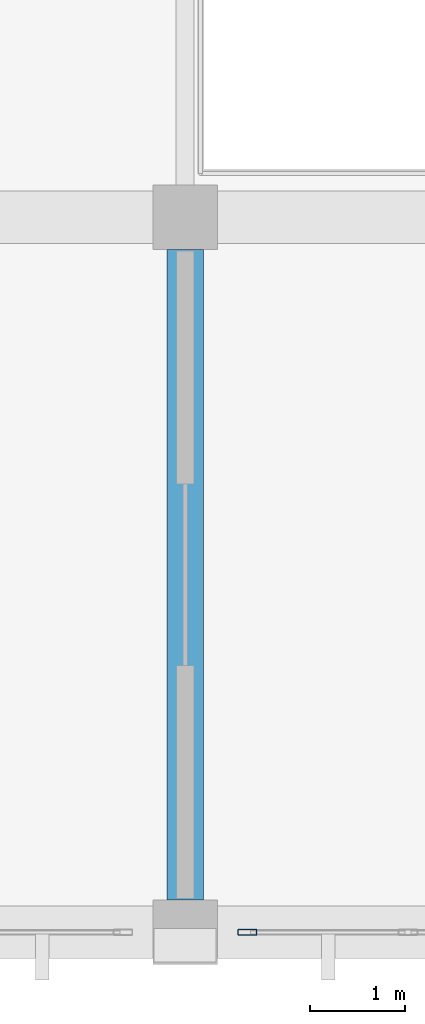
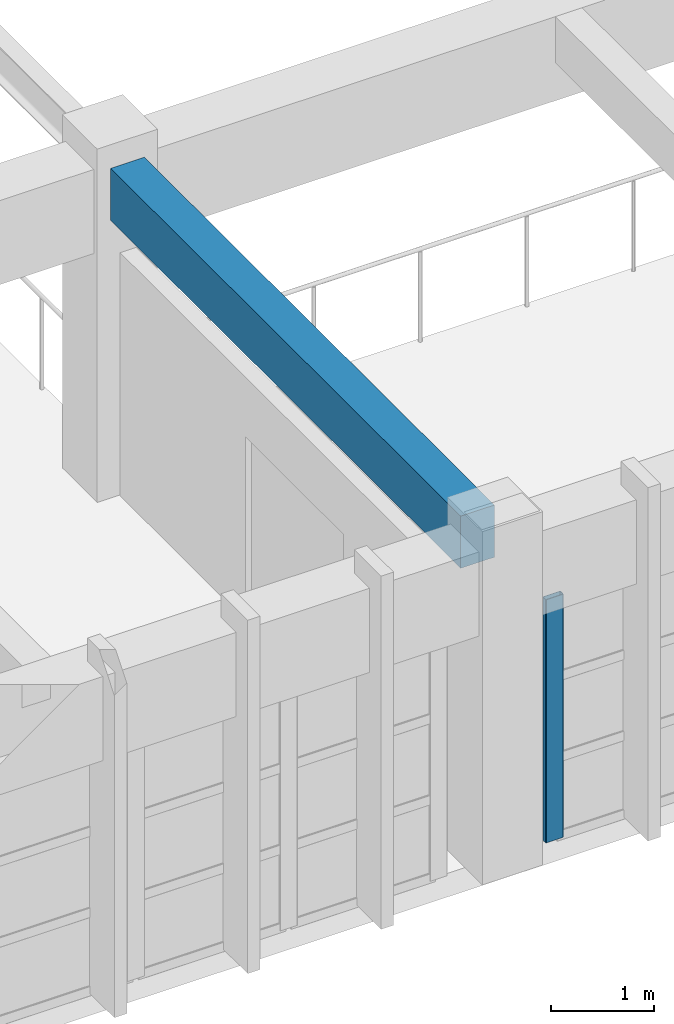
# One storey, part 4 of 132: 1 beam, 1 member, 1 element without a shape of its own.
"""IFC4 building model written with IfcOpenShell, lengths in metres."""

from ifc_helpers import new_model, si_unit, direction, frame, origin, origin_2d, place, context, subcontext, project, spatial, rectangle, hollow_rectangle, extrude, material, material_profile, profile_set, type_object, element, aggregate, save


model = new_model("IFC4")

# Units and contexts
model_context = context("Model", 3, precision=1e-05, world=origin(), true_north=direction((0.0, 1.0)))
body_context = subcontext(model_context, "Body", "Model", "MODEL_VIEW")
ifc_project = project(units=[si_unit("LENGTHUNIT", "METRE"), si_unit("AREAUNIT", "SQUARE_METRE"), si_unit("VOLUMEUNIT", "CUBIC_METRE"), si_unit("PLANEANGLEUNIT", "RADIAN"), si_unit("MASSUNIT", "GRAM", prefix="KILO")], contexts=[model_context])

# Site, building, storey
site_placement = place(None, origin())
site = spatial("IfcSite", under=ifc_project, at=site_placement, CompositionType="ELEMENT")
building_placement = place(site_placement, origin())
building = spatial("IfcBuilding", under=site, at=building_placement, Name="Qasida Concert Hall", CompositionType="ELEMENT")
storey_placement = place(building_placement, frame((0.0, 0.0, 4.800048828125)))
storey = spatial("IfcBuildingStorey", under=building, at=storey_placement, Name="L01", CompositionType="ELEMENT", Elevation=4.800048828125)

# Beam
ifc_material_1 = material(Name="Concrete C40/50", Category="concrete")
ifc_material_profile_1 = material_profile(ifc_material_1, rectangle(XDim=0.3798828125, YDim=0.6201171875, at=origin_2d()), Name="RC 380x620")
ifc_profile_set_1 = profile_set([ifc_material_profile_1], Name="Concrete C40/50")
beam_type = type_object("IfcBeamType", Name="BM-B10", PredefinedType="BEAM", material=ifc_profile_set_1)
beam_placement = place(storey_placement, frame((15.0, 0.340087890625, 3.60986328125), z_axis=(0.0, 1.0, 0.0), x_axis=(-1.0, 0.0, 0.0)))
element("IfcBeam", 1, at=beam_placement, inside=storey, type_object=beam_type, Name="L01 girder 0927", PredefinedType="BEAM", context=body_context, shape_type="SweptSolid", body=[
    extrude(rectangle(XDim=0.3798828125, YDim=0.6201171875, at=origin_2d()), origin(), (0.0, 0.0, 1.0), 6.81982421875),
])

# Curtain wall, member
ifc_material_2 = material(Name="Architectural bronze-anodized aluminium and low-E glass", Category="aluminium")
curtain_wall_type = type_object("IfcCurtainWallType", Name="CW-07", PredefinedType="NOTDEFINED", material=ifc_material_2)
curtain_wall_placement = place(storey_placement, origin())
curtain_wall = element("IfcCurtainWall", 2, at=curtain_wall_placement, inside=storey, type_object=curtain_wall_type, Name="L01 curtain wall CW-07 0085", PredefinedType="NOTDEFINED")
ifc_material_3 = material(Name="Architectural bronze-anodized aluminium EN AW-6063", Category="aluminium")
ifc_material_profile_2 = material_profile(ifc_material_3, hollow_rectangle(XDim=0.06494140625, YDim=0.199951171875, WallThickness=0.0048828125, InnerFilletRadius=0.0048828125, OuterFilletRadius=0.010009765625, at=origin_2d()), Name="CWM 200x65x5")
ifc_profile_set_2 = profile_set([ifc_material_profile_2], Name="Architectural bronze-anodized aluminium EN AW-6063")
member_type = type_object("IfcMemberType", Name="MB-CWM-2", PredefinedType="MULLION", material=ifc_profile_set_2)
member_placement = place(storey_placement, frame((15.652587890625, 0.0, 0.0), z_axis=(0.0, 0.0, 1.0), x_axis=(0.0, 1.0, 0.0)))
member = element("IfcMember", 3, at=member_placement, type_object=member_type, Name="CW-07 mullion 1", PredefinedType="MULLION", context=body_context, shape_type="SweptSolid", body=[
    extrude(hollow_rectangle(XDim=0.06494140625, YDim=0.199951171875, WallThickness=0.0048828125, InnerFilletRadius=0.0048828125, OuterFilletRadius=0.010009765625, at=origin_2d()), origin(), (0.0, 0.0, 1.0), 2.889892578125),
])
aggregate(curtain_wall, [member])

save(model, "model.ifc")
